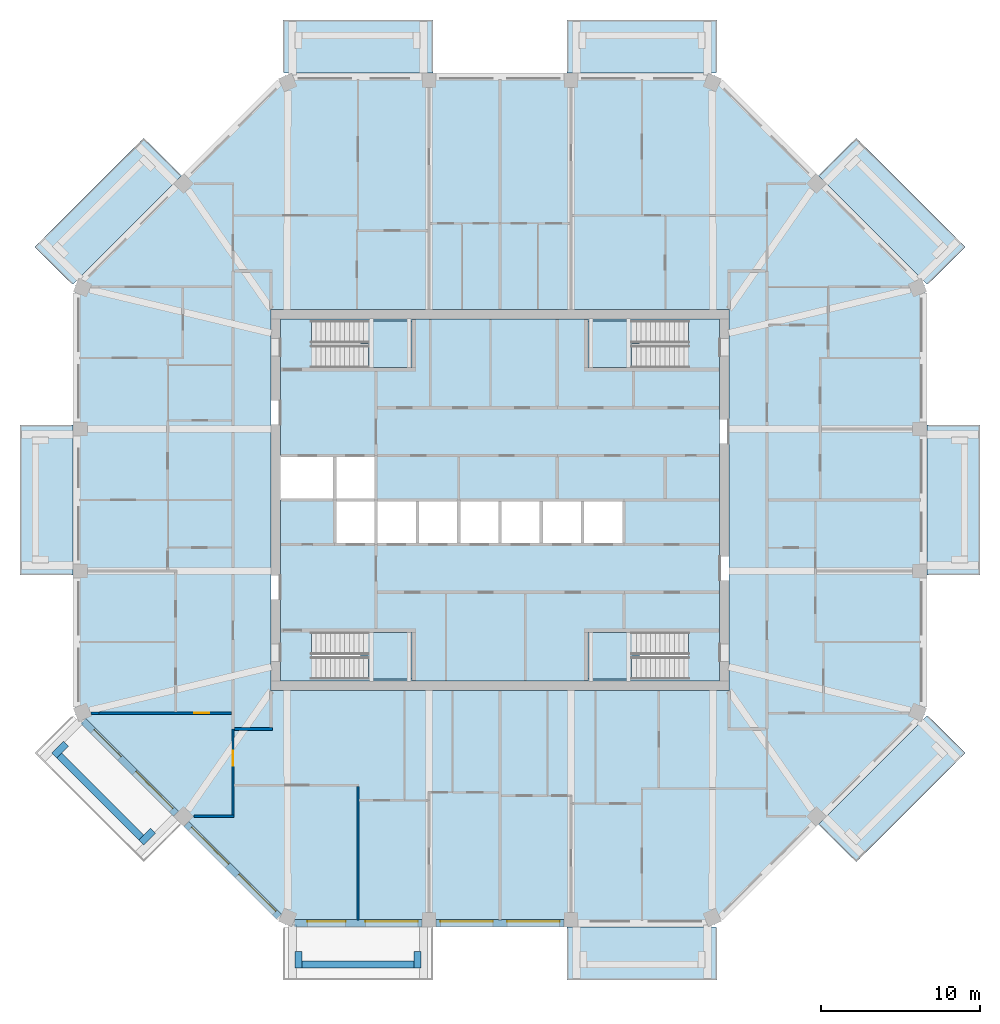
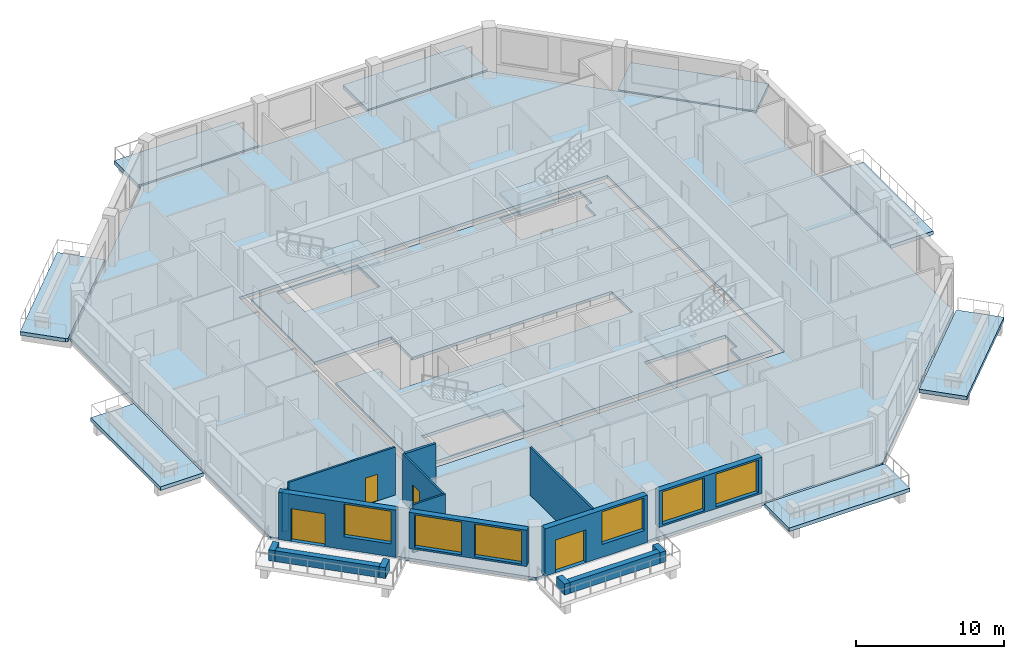
# One storey, part 2 of 12: 16 walls, 14 slabs, 6 windows, 4 doors, 10 openings, 4 elements without a shape of their own.
"""IFC4 building model written with IfcOpenShell, lengths in metres."""

from ifc_helpers import new_model, si_unit, direction, frame, frame_2d, origin, place, context, subcontext, project, spatial, polyline, rectangle, outline, extrude, material, layer, layer_set, type_object, element, fill, aggregate, save


model = new_model("IFC4")

# Units and contexts
model_context = context("Model", 3, precision=1e-05, world=origin(), true_north=direction((0.0, 1.0)))
body_context = subcontext(model_context, "Body", "Model", "MODEL_VIEW")
ifc_project = project(units=[si_unit("LENGTHUNIT", "METRE"), si_unit("AREAUNIT", "SQUARE_METRE"), si_unit("VOLUMEUNIT", "CUBIC_METRE"), si_unit("PLANEANGLEUNIT", "RADIAN"), si_unit("MASSUNIT", "GRAM", prefix="KILO")], contexts=[model_context])

# Site, building, storey
site_placement = place(None, origin())
site = spatial("IfcSite", under=ifc_project, at=site_placement, CompositionType="ELEMENT")
building_placement = place(site_placement, origin())
building = spatial("IfcBuilding", under=site, at=building_placement, Name="Msitu Wima Residences", CompositionType="ELEMENT")
storey_placement = place(building_placement, frame((0.0, 0.0, 251.699951171875)))
storey = spatial("IfcBuildingStorey", under=building, at=storey_placement, Name="L58", CompositionType="ELEMENT", Elevation=251.699951171875)

# Slabs
ifc_material_1 = material(Name="Concrete C40/50", Category="concrete")
ifc_layer_1 = layer(ifc_material_1, 0.300048828125)
ifc_layer_set_1 = layer_set([ifc_layer_1], Name="Concrete C40/50")
slab_type_1 = type_object("IfcSlabType", Name="Balcony slab BS300", PredefinedType="FLOOR", material=ifc_layer_set_1)
slab_1_placement = place(storey_placement, frame((0.0, 0.0, -0.300048828125)))
element("IfcSlab", 1, at=slab_1_placement, inside=storey, type_object=slab_type_1, Name="Balcony E1 L58", PredefinedType="FLOOR", context=body_context, shape_type="SweptSolid", body=[
    extrude(outline(polyline([(26.85009765625, -4.0185546875), (26.85009765625, 4.0185546875), (26.85009765625, 4.71875), (30.199951171875, 4.71875), (30.199951171875, -4.71875), (26.85009765625, -4.71875), (26.85009765625, -4.0185546875)])), origin(), (0.0, 0.0, 1.0), 0.300048828125),
])
slab_2_placement = place(storey_placement, frame((0.0, 0.0, -0.300048828125)))
element("IfcSlab", 2, at=slab_2_placement, inside=storey, type_object=slab_type_1, Name="Balcony NE0 L58", PredefinedType="FLOOR", context=body_context, shape_type="SweptSolid", body=[
    extrude(outline(polyline([(26.505615234375, 13.936767578125), (26.505615234375, 13.936767578125), (20.04443359375, 20.39794921875), (22.4130859375, 22.766845703125), (29.263671875, 15.916015625), (27.003662109375, 13.656005859375), (26.85009765625, 13.59228515625), (26.505615234375, 13.936767578125), (26.505615234375, 13.936767578125)])), origin(), (0.0, 0.0, 1.0), 0.300048828125),
])
slab_3_placement = place(storey_placement, frame((0.0, 0.0, -0.300048828125)))
element("IfcSlab", 3, at=slab_3_placement, inside=storey, type_object=slab_type_1, Name="Balcony N0 L58", PredefinedType="FLOOR", context=body_context, shape_type="SweptSolid", body=[
    extrude(outline(polyline([(13.105224609375, 26.85009765625), (13.105224609375, 26.85009765625), (4.918701171875, 26.85009765625), (4.21875, 26.85009765625), (4.21875, 30.199951171875), (13.656005859375, 30.199951171875), (13.656005859375, 27.003662109375), (13.59228515625, 26.85009765625), (13.105224609375, 26.85009765625), (13.105224609375, 26.85009765625)])), origin(), (0.0, 0.0, 1.0), 0.300048828125),
])
slab_4_placement = place(storey_placement, frame((0.0, 0.0, -0.300048828125)))
element("IfcSlab", 4, at=slab_4_placement, inside=storey, type_object=slab_type_1, Name="Balcony N2 L58", PredefinedType="FLOOR", context=body_context, shape_type="SweptSolid", body=[
    extrude(outline(polyline([(-13.105224609375, 26.85009765625), (-13.105224609375, 26.85009765625), (-13.105224609375, 26.85009765625), (-13.59228515625, 26.85009765625), (-13.656005859375, 27.003662109375), (-13.656005859375, 30.199951171875), (-4.21875, 30.199951171875), (-4.21875, 26.85009765625), (-4.918701171875, 26.85009765625), (-13.105224609375, 26.85009765625)])), origin(), (0.0, 0.0, 1.0), 0.300048828125),
])
slab_5_placement = place(storey_placement, frame((0.0, 0.0, -0.300048828125)))
element("IfcSlab", 5, at=slab_5_placement, inside=storey, type_object=slab_type_1, Name="Balcony NW1 L58", PredefinedType="FLOOR", context=body_context, shape_type="SweptSolid", body=[
    extrude(outline(polyline([(-26.505615234375, 13.936767578125), (-26.505615234375, 13.936767578125), (-26.85009765625, 13.59228515625), (-27.003662109375, 13.656005859375), (-29.263671875, 15.916015625), (-22.4130859375, 22.766845703125), (-20.04443359375, 20.39794921875), (-26.505615234375, 13.936767578125), (-26.505615234375, 13.936767578125)])), origin(), (0.0, 0.0, 1.0), 0.300048828125),
])
slab_6_placement = place(storey_placement, frame((0.0, 0.0, -0.300048828125)))
element("IfcSlab", 6, at=slab_6_placement, inside=storey, type_object=slab_type_1, Name="Balcony W1 L58", PredefinedType="FLOOR", context=body_context, shape_type="SweptSolid", body=[
    extrude(outline(polyline([(-26.85009765625, 4.0185546875), (-26.85009765625, -4.0185546875), (-26.85009765625, -4.71875), (-30.199951171875, -4.71875), (-30.199951171875, 4.71875), (-26.85009765625, 4.71875), (-26.85009765625, 4.0185546875)])), origin(), (0.0, 0.0, 1.0), 0.300048828125),
])
slab_7_placement = place(storey_placement, frame((0.0, 0.0, -0.300048828125)))
element("IfcSlab", 7, at=slab_7_placement, inside=storey, type_object=slab_type_1, Name="Balcony S2 L58", PredefinedType="FLOOR", context=body_context, shape_type="SweptSolid", body=[
    extrude(outline(polyline([(13.105224609375, -26.85009765625), (13.105224609375, -26.85009765625), (13.105224609375, -26.85009765625), (13.59228515625, -26.85009765625), (13.656005859375, -27.003662109375), (13.656005859375, -30.199951171875), (4.21875, -30.199951171875), (4.21875, -26.85009765625), (4.918701171875, -26.85009765625), (13.105224609375, -26.85009765625)])), origin(), (0.0, 0.0, 1.0), 0.300048828125),
])
slab_8_placement = place(storey_placement, frame((0.0, 0.0, -0.300048828125)))
element("IfcSlab", 8, at=slab_8_placement, inside=storey, type_object=slab_type_1, Name="Balcony SE1 L58", PredefinedType="FLOOR", context=body_context, shape_type="SweptSolid", body=[
    extrude(outline(polyline([(26.505615234375, -13.936767578125), (26.505615234375, -13.936767578125), (26.85009765625, -13.59228515625), (27.003662109375, -13.656005859375), (29.263671875, -15.916015625), (22.4130859375, -22.766845703125), (20.04443359375, -20.39794921875), (26.505615234375, -13.936767578125), (26.505615234375, -13.936767578125)])), origin(), (0.0, 0.0, 1.0), 0.300048828125),
])
ifc_layer_2 = layer(ifc_material_1, 0.25)
ifc_layer_set_2 = layer_set([ifc_layer_2], Name="Concrete C40/50")
slab_type_2 = type_object("IfcSlabType", Name="Core floor CF250", PredefinedType="FLOOR", material=ifc_layer_set_2)
slab_9_placement = place(storey_placement, frame((0.0, 0.0, -0.25)))
element("IfcSlab", 9, at=slab_9_placement, inside=storey, type_object=slab_type_2, Name="Core floor", PredefinedType="FLOOR", context=body_context, shape_type="SweptSolid", body=[
    extrude(outline(polyline([(-13.800048828125, 11.39990234375), (-13.800048828125, 2.800048828125), (-10.39990234375, 2.800048828125), (-7.800048828125, 2.800048828125), (-7.800048828125, 0.0), (-5.199951171875, 0.0), (-2.60009765625, 0.0), (0.0, 0.0), (2.60009765625, 0.0), (5.199951171875, 0.0), (7.800048828125, 0.0), (7.800048828125, -2.800048828125), (5.199951171875, -2.800048828125), (2.60009765625, -2.800048828125), (0.0, -2.800048828125), (-2.60009765625, -2.800048828125), (-5.199951171875, -2.800048828125), (-7.800048828125, -2.800048828125), (-10.39990234375, -2.800048828125), (-10.39990234375, 0.0), (-13.800048828125, 0.0), (-13.800048828125, -11.39990234375), (13.800048828125, -11.39990234375), (13.800048828125, 11.39990234375), (-13.800048828125, 11.39990234375)]), holes=[polyline([(-11.375, -11.27490234375), (-11.375, -9.875), (-11.87451171875, -9.875), (-11.87451171875, -8.324951171875), (-5.52490234375, -8.324951171875), (-5.52490234375, -11.27490234375), (-11.375, -11.27490234375)]), polyline([(-11.375, 8.324951171875), (-11.375, 9.72509765625), (-11.87451171875, 9.72509765625), (-11.87451171875, 11.27490234375), (-5.52490234375, 11.27490234375), (-5.52490234375, 8.324951171875), (-11.375, 8.324951171875)]), polyline([(11.375, -9.875), (11.375, -11.27490234375), (5.52490234375, -11.27490234375), (5.52490234375, -8.324951171875), (11.87451171875, -8.324951171875), (11.87451171875, -9.875), (11.375, -9.875)]), polyline([(11.375, 9.72509765625), (11.375, 8.324951171875), (5.52490234375, 8.324951171875), (5.52490234375, 11.27490234375), (11.87451171875, 11.27490234375), (11.87451171875, 9.72509765625), (11.375, 9.72509765625)])]), origin(), (0.0, 0.0, 1.0), 0.25),
])
ifc_layer_3 = layer(ifc_material_1, 0.25)
ifc_layer_set_3 = layer_set([ifc_layer_3], Name="Concrete C40/50")
slab_type_3 = type_object("IfcSlabType", Name="PT flat slab 250 Concrete C40/50", PredefinedType="FLOOR", material=ifc_layer_set_3)
slab_10_placement = place(storey_placement, frame((0.0, 0.0, -0.25)))
element("IfcSlab", 10, at=slab_10_placement, inside=storey, type_object=slab_type_3, Name="Floor slab L58", PredefinedType="FLOOR", context=body_context, shape_type="SweptSolid", body=[
    extrude(outline(polyline([(26.699951171875, -13.5302734375), (13.5302734375, -26.699951171875), (-13.5302734375, -26.699951171875), (-26.699951171875, -13.5302734375), (-26.699951171875, 13.5302734375), (-13.5302734375, 26.699951171875), (13.5302734375, 26.699951171875), (26.699951171875, 13.5302734375), (26.699951171875, -13.5302734375)]), holes=[polyline([(-14.39990234375, -12.0), (14.39990234375, -12.0), (14.39990234375, 12.0), (-14.39990234375, 12.0), (-14.39990234375, -12.0)])]), origin(), (0.0, 0.0, 1.0), 0.25),
])

# Stair, slab
stair_type = type_object("IfcStairType", Name="Exit stair ES1615-140", PredefinedType="HALF_TURN_STAIR", material=ifc_material_1)
stair_1_placement = place(storey_placement, origin())
stair_1 = element("IfcStair", 11, at=stair_1_placement, inside=storey, type_object=stair_type, Name="Exit stair 1", PredefinedType="HALF_TURN_STAIR")
ifc_layer_4 = layer(ifc_material_1, 0.199951171875)
ifc_layer_set_4 = layer_set([ifc_layer_4], Name="Concrete C40/50")
slab_type_4 = type_object("IfcSlabType", Name="Stair landing SL200", PredefinedType="LANDING", material=ifc_layer_set_4)
slab_11_placement = place(storey_placement, frame((0.0, 0.0, 1.900146484375)))
slab_11 = element("IfcSlab", 12, at=slab_11_placement, type_object=slab_type_4, Name="S1 landing 1", PredefinedType="LANDING", context=body_context, shape_type="SweptSolid", body=[
    extrude(outline(polyline([(-5.52490234375, 8.324951171875), (-8.275390625, 8.324951171875), (-8.275390625, 9.800048828125), (-8.77490234375, 9.800048828125), (-8.77490234375, 11.27490234375), (-5.52490234375, 11.27490234375), (-5.52490234375, 8.324951171875)])), origin(), (0.0, 0.0, 1.0), 0.199951171875),
])
aggregate(stair_1, [slab_11])

stair_2_placement = place(storey_placement, origin())
stair_2 = element("IfcStair", 13, at=stair_2_placement, inside=storey, type_object=stair_type, Name="Exit stair 2", PredefinedType="HALF_TURN_STAIR")
slab_12_placement = place(storey_placement, frame((0.0, 0.0, 1.900146484375)))
slab_12 = element("IfcSlab", 14, at=slab_12_placement, type_object=slab_type_4, Name="S2 landing 1", PredefinedType="LANDING", context=body_context, shape_type="SweptSolid", body=[
    extrude(outline(polyline([(-5.52490234375, -11.27490234375), (-8.275390625, -11.27490234375), (-8.275390625, -9.800048828125), (-8.77490234375, -9.800048828125), (-8.77490234375, -8.324951171875), (-5.52490234375, -8.324951171875), (-5.52490234375, -11.27490234375)])), origin(), (0.0, 0.0, 1.0), 0.199951171875),
])
aggregate(stair_2, [slab_12])

stair_3_placement = place(storey_placement, origin())
stair_3 = element("IfcStair", 15, at=stair_3_placement, inside=storey, type_object=stair_type, Name="Exit stair 3", PredefinedType="HALF_TURN_STAIR")
slab_13_placement = place(storey_placement, frame((0.0, 0.0, 1.900146484375)))
slab_13 = element("IfcSlab", 16, at=slab_13_placement, type_object=slab_type_4, Name="S3 landing 1", PredefinedType="LANDING", context=body_context, shape_type="SweptSolid", body=[
    extrude(outline(polyline([(5.52490234375, 8.324951171875), (8.275390625, 8.324951171875), (8.275390625, 9.800048828125), (8.77490234375, 9.800048828125), (8.77490234375, 11.27490234375), (5.52490234375, 11.27490234375), (5.52490234375, 8.324951171875)])), origin(), (0.0, 0.0, 1.0), 0.199951171875),
])
aggregate(stair_3, [slab_13])

stair_4_placement = place(storey_placement, origin())
stair_4 = element("IfcStair", 17, at=stair_4_placement, inside=storey, type_object=stair_type, Name="Exit stair 4", PredefinedType="HALF_TURN_STAIR")
slab_14_placement = place(storey_placement, frame((0.0, 0.0, 1.900146484375)))
slab_14 = element("IfcSlab", 18, at=slab_14_placement, type_object=slab_type_4, Name="S4 landing 1", PredefinedType="LANDING", context=body_context, shape_type="SweptSolid", body=[
    extrude(outline(polyline([(5.52490234375, -11.27490234375), (8.275390625, -11.27490234375), (8.275390625, -9.800048828125), (8.77490234375, -9.800048828125), (8.77490234375, -8.324951171875), (5.52490234375, -8.324951171875), (5.52490234375, -11.27490234375)])), origin(), (0.0, 0.0, 1.0), 0.199951171875),
])
aggregate(stair_4, [slab_14])

# Walls
ifc_material_2 = material(Name="Facing brick")
ifc_layer_5 = layer(ifc_material_2, 0.06494140625, Name="Facing brick")
ifc_layer_6 = layer(ifc_material_1, 0.156005859375, Name="Concrete C40/50")
ifc_material_3 = material(Name="Waterproofing membrane")
ifc_layer_7 = layer(ifc_material_3, 0.00390625, Name="Waterproofing membrane")
ifc_material_4 = material(Name="Planting soil and planting")
ifc_layer_8 = layer(ifc_material_4, 0.22509765625, Name="Planting soil and planting")
ifc_layer_set_5 = layer_set([ifc_layer_5, ifc_layer_6, ifc_layer_7, ifc_layer_8], Name="Concrete C40/50")
wall_type_1 = type_object("IfcWallType", Name="Balcony planter PLANTER PL450", PredefinedType="USERDEFINED", material=ifc_layer_set_5)
wall_1_placement = place(storey_placement, frame((-27.725830078125, -16.0751953125, 0.0), z_axis=(0.0, 0.0, 1.0), x_axis=(0.707106781187, -0.707106781187, 0.0)))
element("IfcWall", 19, at=wall_1_placement, inside=storey, type_object=wall_type_1, Name="Balcony planter SW0 L58", ObjectType="PLANTER", PredefinedType="USERDEFINED", context=body_context, shape_type="SweptSolid", body=[
    extrude(rectangle(XDim=7.288330078125, YDim=0.449951171875, at=frame_2d((3.64404296875, 0.0))), origin(), (0.0, 0.0, 1.0), 0.900146484375),
])
for number, where, z_axis, x_axis, name in (
    (20, (-27.301513671875, -15.332763671875, 0.0), (0.0, 0.0, 1.0), (-0.707106781187, -0.707106781187, 0.0), "Balcony planter SW0 L58"),
    (21, (-21.829833984375, -20.804443359375, 0.0), (0.0, 0.0, 1.0), (-0.707106781187, -0.707106781187, 0.0), "Balcony planter SW0 L58"),
):
    element("IfcWall", number, at=place(storey_placement, frame(where, z_axis=z_axis, x_axis=x_axis)), inside=storey, type_object=wall_type_1, Name=name, ObjectType="PLANTER", PredefinedType="USERDEFINED", context=body_context, shape_type="SweptSolid", body=[
        extrude(rectangle(XDim=1.050048828125, YDim=0.449951171875, at=frame_2d((0.52490234375, 0.0))), origin(), (0.0, 0.0, 1.0), 0.900146484375),
    ])
wall_2_placement = place(storey_placement, frame((-12.455810546875, -29.22509765625, 0.0), z_axis=(0.0, 0.0, 1.0), x_axis=(1.0, 0.0, 0.0)))
element("IfcWall", 22, at=wall_2_placement, inside=storey, type_object=wall_type_1, Name="Balcony planter S0 L58", ObjectType="PLANTER", PredefinedType="USERDEFINED", context=body_context, shape_type="SweptSolid", body=[
    extrude(rectangle(XDim=7.037109375, YDim=0.449951171875, at=frame_2d((3.5185546875, 0.0))), origin(), (0.0, 0.0, 1.0), 0.900146484375),
])
for number, where, z_axis, x_axis, name in (
    (23, (-12.680908203125, -28.39990234375, 0.0), (0.0, 0.0, 1.0), (0.0, -1.0, 0.0), "Balcony planter S0 L58"),
    (24, (-5.193603515625, -28.39990234375, 0.0), (0.0, 0.0, 1.0), (0.0, -1.0, 0.0), "Balcony planter S0 L58"),
):
    element("IfcWall", number, at=place(storey_placement, frame(where, z_axis=z_axis, x_axis=x_axis)), inside=storey, type_object=wall_type_1, Name=name, ObjectType="PLANTER", PredefinedType="USERDEFINED", context=body_context, shape_type="SweptSolid", body=[
        extrude(rectangle(XDim=1.050048828125, YDim=0.449951171875, at=frame_2d((0.52490234375, 0.0))), origin(), (0.0, 0.0, 1.0), 0.900146484375),
    ])

# Wall, openings, door, window
ifc_material_5 = material(Name="Brick (red buff mix)", Category="masonry")
ifc_layer_9 = layer(ifc_material_5, 0.449951171875)
ifc_layer_set_6 = layer_set([ifc_layer_9], Name="Brick (red buff mix)")
wall_type_2 = type_object("IfcWallType", Name="Brick infill wall BW450", PredefinedType="SOLIDWALL", material=ifc_layer_set_6)
wall_3_placement = place(storey_placement, frame((-26.214599609375, -13.909423828125, 0.0), z_axis=(0.0, 0.0, 1.0), x_axis=(0.707106781187, -0.707106781187, 0.0)))
wall_3 = element("IfcWall", 25, at=wall_3_placement, inside=storey, type_object=wall_type_2, Name="Brick infill wall L58 SW0", PredefinedType="SOLIDWALL", context=body_context, shape_type="SweptSolid", body=[
    extrude(rectangle(XDim=8.251220703125, YDim=0.449951171875, at=frame_2d((4.12548828125, 0.0))), origin(), (0.0, 0.0, 1.0), 3.900146484375),
])
opening_1_placement = place(wall_3_placement, frame((0.86279296875, 0.0, 0.0)))
opening_1 = element("IfcOpeningElement", 26, at=opening_1_placement, cuts=wall_3, Name="Opening D57-59.009", PredefinedType="OPENING", context=body_context, shape_type="SweptSolid", body=[
    extrude(rectangle(XDim=2.39990234375, YDim=2.699951171875, at=frame_2d((1.199951171875, 1.35009765625))), frame((0.0, 0.23486328125, 0.0), z_axis=(0.0, -1.0, 0.0), x_axis=(1.0, 0.0, 0.0)), (0.0, 0.0, 1.0), 0.469970703125),
])
opening_2_placement = place(wall_3_placement, frame((4.57568359375, 0.0, 1.050048828125)))
opening_2 = element("IfcOpeningElement", 27, at=opening_2_placement, cuts=wall_3, Name="Opening W57-59.023", PredefinedType="OPENING", context=body_context, shape_type="SweptSolid", body=[
    extrude(rectangle(XDim=3.300048828125, YDim=2.699951171875, at=frame_2d((1.64990234375, 1.35009765625))), frame((0.0, 0.23486328125, 0.0), z_axis=(0.0, -1.0, 0.0), x_axis=(1.0, 0.0, 0.0)), (0.0, 0.0, 1.0), 0.469970703125),
])
ifc_material_6 = material(Name="Anodised aluminium, bronze finish, clear low-emissivity double glazing", Category="aluminium")
door_type_1 = type_object("IfcDoorType", Name="Balcony door D2400x2700", OperationType="SLIDING_TO_LEFT", PredefinedType="DOOR", material=ifc_material_6)
door_1_placement = place(opening_1_placement, origin())
door_1 = element("IfcDoor", 28, at=door_1_placement, inside=storey, type_object=door_type_1, Name="Balcony door L58 SW0", OperationType="SINGLE_SWING_LEFT", OverallHeight=2.699951171875, OverallWidth=2.39990234375, PredefinedType="DOOR", context=body_context, shape_type="SweptSolid", body=[
    extrude(rectangle(XDim=2.39990234375, YDim=2.699951171875, at=frame_2d((1.199951171875, 1.35009765625))), frame((0.0, 0.1298828125, 0.0), z_axis=(0.0, -1.0, 0.0), x_axis=(1.0, 0.0, 0.0)), (0.0, 0.0, 1.0), 0.050048828125),
])
fill(opening_1, door_1)
window_type = type_object("IfcWindowType", Name="Window W3300x2700", PartitioningType="DOUBLE_PANEL_VERTICAL", PredefinedType="WINDOW", material=ifc_material_6)
window_1_placement = place(opening_2_placement, origin())
window_1 = element("IfcWindow", 29, at=window_1_placement, inside=storey, type_object=window_type, Name="Window L58 SW0.2", OverallHeight=2.699951171875, OverallWidth=3.300048828125, PartitioningType="SINGLE_PANEL", PredefinedType="WINDOW", context=body_context, shape_type="SweptSolid", body=[
    extrude(rectangle(XDim=3.300048828125, YDim=2.699951171875, at=frame_2d((1.64990234375, 1.35009765625))), frame((0.0, 0.135009765625, 0.0), z_axis=(0.0, -1.0, 0.0), x_axis=(1.0, 0.0, 0.0)), (0.0, 0.0, 1.0), 0.06005859375),
])
fill(opening_2, window_1)

# Wall, openings, windows
wall_4_placement = place(storey_placement, frame((-19.743896484375, -20.380126953125, 0.900146484375), z_axis=(0.0, 0.0, 1.0), x_axis=(0.707106781187, -0.707106781187, 0.0)))
wall_4 = element("IfcWall", 30, at=wall_4_placement, inside=storey, type_object=wall_type_2, Name="Brick infill wall L58 SW1", PredefinedType="SOLIDWALL", context=body_context, shape_type="SweptSolid", body=[
    extrude(rectangle(XDim=8.251220703125, YDim=0.449951171875, at=frame_2d((4.12548828125, 0.0))), origin(), (0.0, 0.0, 1.0), 3.0),
])
opening_3_placement = place(wall_4_placement, frame((0.37548828125, 0.0, 0.14990234375)))
opening_3 = element("IfcOpeningElement", 31, at=opening_3_placement, cuts=wall_4, Name="Opening W57-59.024", PredefinedType="OPENING", context=body_context, shape_type="SweptSolid", body=[
    extrude(rectangle(XDim=3.300048828125, YDim=2.699951171875, at=frame_2d((1.64990234375, 1.35009765625))), frame((0.0, 0.23486328125, 0.0), z_axis=(0.0, -1.0, 0.0), x_axis=(1.0, 0.0, 0.0)), (0.0, 0.0, 1.0), 0.469970703125),
])
opening_4_placement = place(wall_4_placement, frame((4.57568359375, 0.0, 0.14990234375)))
opening_4 = element("IfcOpeningElement", 32, at=opening_4_placement, cuts=wall_4, Name="Opening W57-59.025", PredefinedType="OPENING", context=body_context, shape_type="SweptSolid", body=[
    extrude(rectangle(XDim=3.300048828125, YDim=2.699951171875, at=frame_2d((1.64990234375, 1.35009765625))), frame((0.0, 0.23486328125, 0.0), z_axis=(0.0, -1.0, 0.0), x_axis=(1.0, 0.0, 0.0)), (0.0, 0.0, 1.0), 0.469970703125),
])
window_2_placement = place(opening_3_placement, origin())
window_2 = element("IfcWindow", 33, at=window_2_placement, inside=storey, type_object=window_type, Name="Window L58 SW1.1", OverallHeight=2.699951171875, OverallWidth=3.300048828125, PartitioningType="SINGLE_PANEL", PredefinedType="WINDOW", context=body_context, shape_type="SweptSolid", body=[
    extrude(rectangle(XDim=3.300048828125, YDim=2.699951171875, at=frame_2d((1.64990234375, 1.35009765625))), frame((0.0, 0.135009765625, 0.0), z_axis=(0.0, -1.0, 0.0), x_axis=(1.0, 0.0, 0.0)), (0.0, 0.0, 1.0), 0.06005859375),
])
fill(opening_3, window_2)
window_3_placement = place(opening_4_placement, origin())
window_3 = element("IfcWindow", 34, at=window_3_placement, inside=storey, type_object=window_type, Name="Window L58 SW1.2", OverallHeight=2.699951171875, OverallWidth=3.300048828125, PartitioningType="SINGLE_PANEL", PredefinedType="WINDOW", context=body_context, shape_type="SweptSolid", body=[
    extrude(rectangle(XDim=3.300048828125, YDim=2.699951171875, at=frame_2d((1.64990234375, 1.35009765625))), frame((0.0, 0.135009765625, 0.0), z_axis=(0.0, -1.0, 0.0), x_axis=(1.0, 0.0, 0.0)), (0.0, 0.0, 1.0), 0.06005859375),
])
fill(opening_4, window_3)

# Wall, openings, door, window
wall_5_placement = place(storey_placement, frame((-12.918701171875, -26.625, 0.0), z_axis=(0.0, 0.0, 1.0), x_axis=(1.0, 0.0, 0.0)))
wall_5 = element("IfcWall", 35, at=wall_5_placement, inside=storey, type_object=wall_type_2, Name="Brick infill wall L58 S0", PredefinedType="SOLIDWALL", context=body_context, shape_type="SweptSolid", body=[
    extrude(rectangle(XDim=8.0, YDim=0.449951171875, at=frame_2d((4.0, 0.0))), origin(), (0.0, 0.0, 1.0), 3.900146484375),
])
opening_5_placement = place(wall_5_placement, frame((0.800048828125, 0.0, 0.0)))
opening_5 = element("IfcOpeningElement", 36, at=opening_5_placement, cuts=wall_5, Name="Opening D57-59.006", PredefinedType="OPENING", context=body_context, shape_type="SweptSolid", body=[
    extrude(rectangle(XDim=2.39990234375, YDim=2.699951171875, at=frame_2d((1.199951171875, 1.35009765625))), frame((0.0, 0.23486328125, 0.0), z_axis=(0.0, -1.0, 0.0), x_axis=(1.0, 0.0, 0.0)), (0.0, 0.0, 1.0), 0.469970703125),
])
opening_6_placement = place(wall_5_placement, frame((4.4501953125, 0.0, 1.050048828125)))
opening_6 = element("IfcOpeningElement", 37, at=opening_6_placement, cuts=wall_5, Name="Opening W57-59.016", PredefinedType="OPENING", context=body_context, shape_type="SweptSolid", body=[
    extrude(rectangle(XDim=3.300048828125, YDim=2.699951171875, at=frame_2d((1.64990234375, 1.35009765625))), frame((0.0, 0.23486328125, 0.0), z_axis=(0.0, -1.0, 0.0), x_axis=(1.0, 0.0, 0.0)), (0.0, 0.0, 1.0), 0.469970703125),
])
door_2_placement = place(opening_5_placement, origin())
door_2 = element("IfcDoor", 38, at=door_2_placement, inside=storey, type_object=door_type_1, Name="Balcony door L58 S0", OperationType="SINGLE_SWING_LEFT", OverallHeight=2.699951171875, OverallWidth=2.39990234375, PredefinedType="DOOR", context=body_context, shape_type="SweptSolid", body=[
    extrude(rectangle(XDim=2.39990234375, YDim=2.699951171875, at=frame_2d((1.199951171875, 1.35009765625))), frame((0.0, 0.1298828125, 0.0), z_axis=(0.0, -1.0, 0.0), x_axis=(1.0, 0.0, 0.0)), (0.0, 0.0, 1.0), 0.050048828125),
])
fill(opening_5, door_2)
window_4_placement = place(opening_6_placement, origin())
window_4 = element("IfcWindow", 39, at=window_4_placement, inside=storey, type_object=window_type, Name="Window L58 S0.2", OverallHeight=2.699951171875, OverallWidth=3.300048828125, PartitioningType="SINGLE_PANEL", PredefinedType="WINDOW", context=body_context, shape_type="SweptSolid", body=[
    extrude(rectangle(XDim=3.300048828125, YDim=2.699951171875, at=frame_2d((1.64990234375, 1.35009765625))), frame((0.0, 0.135009765625, 0.0), z_axis=(0.0, -1.0, 0.0), x_axis=(1.0, 0.0, 0.0)), (0.0, 0.0, 1.0), 0.06005859375),
])
fill(opening_6, window_4)

# Wall, openings, windows
wall_6_placement = place(storey_placement, frame((-4.0185546875, -26.625, 0.900146484375), z_axis=(0.0, 0.0, 1.0), x_axis=(1.0, 0.0, 0.0)))
wall_6 = element("IfcWall", 40, at=wall_6_placement, inside=storey, type_object=wall_type_2, Name="Brick infill wall L58 S1", PredefinedType="SOLIDWALL", context=body_context, shape_type="SweptSolid", body=[
    extrude(rectangle(XDim=8.037109375, YDim=0.449951171875, at=frame_2d((4.0185546875, 0.0))), origin(), (0.0, 0.0, 1.0), 3.0),
])
opening_7_placement = place(wall_6_placement, frame((0.2685546875, 0.0, 0.14990234375)))
opening_7 = element("IfcOpeningElement", 41, at=opening_7_placement, cuts=wall_6, Name="Opening W57-59.017", PredefinedType="OPENING", context=body_context, shape_type="SweptSolid", body=[
    extrude(rectangle(XDim=3.300048828125, YDim=2.699951171875, at=frame_2d((1.64990234375, 1.35009765625))), frame((0.0, 0.23486328125, 0.0), z_axis=(0.0, -1.0, 0.0), x_axis=(1.0, 0.0, 0.0)), (0.0, 0.0, 1.0), 0.469970703125),
])
opening_8_placement = place(wall_6_placement, frame((4.46875, 0.0, 0.14990234375)))
opening_8 = element("IfcOpeningElement", 42, at=opening_8_placement, cuts=wall_6, Name="Opening W57-59.018", PredefinedType="OPENING", context=body_context, shape_type="SweptSolid", body=[
    extrude(rectangle(XDim=3.300048828125, YDim=2.699951171875, at=frame_2d((1.64990234375, 1.35009765625))), frame((0.0, 0.23486328125, 0.0), z_axis=(0.0, -1.0, 0.0), x_axis=(1.0, 0.0, 0.0)), (0.0, 0.0, 1.0), 0.469970703125),
])
window_5_placement = place(opening_7_placement, origin())
window_5 = element("IfcWindow", 43, at=window_5_placement, inside=storey, type_object=window_type, Name="Window L58 S1.1", OverallHeight=2.699951171875, OverallWidth=3.300048828125, PartitioningType="SINGLE_PANEL", PredefinedType="WINDOW", context=body_context, shape_type="SweptSolid", body=[
    extrude(rectangle(XDim=3.300048828125, YDim=2.699951171875, at=frame_2d((1.64990234375, 1.35009765625))), frame((0.0, 0.135009765625, 0.0), z_axis=(0.0, -1.0, 0.0), x_axis=(1.0, 0.0, 0.0)), (0.0, 0.0, 1.0), 0.06005859375),
])
fill(opening_7, window_5)
window_6_placement = place(opening_8_placement, origin())
window_6 = element("IfcWindow", 44, at=window_6_placement, inside=storey, type_object=window_type, Name="Window L58 S1.2", OverallHeight=2.699951171875, OverallWidth=3.300048828125, PartitioningType="SINGLE_PANEL", PredefinedType="WINDOW", context=body_context, shape_type="SweptSolid", body=[
    extrude(rectangle(XDim=3.300048828125, YDim=2.699951171875, at=frame_2d((1.64990234375, 1.35009765625))), frame((0.0, 0.135009765625, 0.0), z_axis=(0.0, -1.0, 0.0), x_axis=(1.0, 0.0, 0.0)), (0.0, 0.0, 1.0), 0.06005859375),
])
fill(opening_8, window_6)

# Walls
ifc_material_7 = material(Name="Plaster")
ifc_layer_10 = layer(ifc_material_7, 0.011962890625, Name="Plaster")
ifc_material_8 = material(Name="Concrete blockwork", Category="masonry")
ifc_layer_11 = layer(ifc_material_8, 0.176025390625, Name="Concrete blockwork")
ifc_layer_12 = layer(ifc_material_7, 0.011962890625, Name="Plaster")
ifc_layer_set_7 = layer_set([ifc_layer_10, ifc_layer_11, ifc_layer_12], Name="Concrete blockwork")
wall_type_3 = type_object("IfcWallType", Name="Corridor wall FW200", PredefinedType="PARTITIONING", material=ifc_layer_set_7)
wall_7_placement = place(storey_placement, frame((-16.699951171875, -14.39990234375, 0.0), z_axis=(0.0, 0.0, 1.0), x_axis=(1.0, 0.0, 0.0)))
element("IfcWall", 45, at=wall_7_placement, inside=storey, type_object=wall_type_3, Name="Corridor wall", PredefinedType="PARTITIONING", context=body_context, shape_type="SweptSolid", body=[
    extrude(rectangle(XDim=2.39990234375, YDim=0.199951171875, at=frame_2d((1.199951171875, 0.0))), origin(), (0.0, 0.0, 1.0), 3.949951171875),
])
ifc_layer_13 = layer(ifc_material_7, 0.011962890625, Name="Plaster")
ifc_layer_14 = layer(ifc_material_8, 0.1259765625, Name="Concrete blockwork")
ifc_layer_15 = layer(ifc_material_7, 0.011962890625, Name="Plaster")
ifc_layer_set_8 = layer_set([ifc_layer_13, ifc_layer_14, ifc_layer_15], Name="Concrete blockwork")
wall_type_4 = type_object("IfcWallType", Name="Partition PW150", PredefinedType="PARTITIONING", material=ifc_layer_set_8)
wall_8_placement = place(storey_placement, frame((-25.731201171875, -13.406005859375, 0.0), z_axis=(0.0, 0.0, 1.0), x_axis=(1.0, 0.0, 0.0)))
element("IfcWall", 46, at=wall_8_placement, inside=storey, type_object=wall_type_4, Name="Partition", PredefinedType="PARTITIONING", context=body_context, shape_type="SweptSolid", body=[
    extrude(rectangle(XDim=0.507080078125, YDim=0.14990234375, at=frame_2d((0.25341796875, 0.0))), origin(), (0.0, 0.0, 1.0), 3.35009765625),
])

# Wall, opening, door
wall_9_placement = place(storey_placement, frame((-25.22412109375, -13.406005859375, 0.0), z_axis=(0.0, 0.0, 1.0), x_axis=(1.0, 0.0, 0.0)))
wall_9 = element("IfcWall", 47, at=wall_9_placement, inside=storey, type_object=wall_type_4, Name="Partition", PredefinedType="PARTITIONING", context=body_context, shape_type="SweptSolid", body=[
    extrude(rectangle(XDim=8.32421875, YDim=0.14990234375, at=frame_2d((4.162109375, 0.0))), origin(), (0.0, 0.0, 1.0), 3.949951171875),
])
opening_9_placement = place(wall_9_placement, frame((5.992919921875, 0.0, 0.0)))
opening_9 = element("IfcOpeningElement", 48, at=opening_9_placement, cuts=wall_9, Name="Opening D57-59.025", PredefinedType="OPENING", context=body_context, shape_type="SweptSolid", body=[
    extrude(rectangle(XDim=0.949951171875, YDim=2.199951171875, at=frame_2d((0.47509765625, 1.10009765625))), frame((0.0, 0.0849609375, 0.0), z_axis=(0.0, -1.0, 0.0), x_axis=(1.0, 0.0, 0.0)), (0.0, 0.0, 1.0), 0.169921875),
])
ifc_material_9 = material(Name="Timber flush door", Category="wood")
door_type_2 = type_object("IfcDoorType", Name="Room door D12 950x2200", OperationType="SINGLE_SWING_LEFT", PredefinedType="DOOR", material=ifc_material_9)
door_3_placement = place(opening_9_placement, origin())
door_3 = element("IfcDoor", 49, at=door_3_placement, inside=storey, type_object=door_type_2, Name="Room door", OperationType="SINGLE_SWING_LEFT", OverallHeight=2.199951171875, OverallWidth=0.949951171875, PredefinedType="DOOR", context=body_context, shape_type="SweptSolid", body=[
    extrude(rectangle(XDim=0.949951171875, YDim=2.199951171875, at=frame_2d((0.47509765625, 1.10009765625))), frame((0.0, 0.02490234375, 0.0), z_axis=(0.0, -1.0, 0.0), x_axis=(1.0, 0.0, 0.0)), (0.0, 0.0, 1.0), 0.050048828125),
])
fill(opening_9, door_3)

# Wall
wall_10_placement = place(storey_placement, frame((-19.2666015625, -19.90283203125, 0.0), z_axis=(0.0, 0.0, 1.0), x_axis=(1.0, 0.0, 0.0)))
element("IfcWall", 50, at=wall_10_placement, inside=storey, type_object=wall_type_4, Name="Partition", PredefinedType="PARTITIONING", context=body_context, shape_type="SweptSolid", body=[
    extrude(rectangle(XDim=2.54150390625, YDim=0.14990234375, at=frame_2d((1.270751953125, 0.0))), origin(), (0.0, 0.0, 1.0), 3.949951171875),
])

# Wall, opening, door
wall_11_placement = place(storey_placement, frame((-16.800048828125, -19.827880859375, 0.0), z_axis=(0.0, 0.0, 1.0), x_axis=(0.0, 1.0, 0.0)))
wall_11 = element("IfcWall", 51, at=wall_11_placement, inside=storey, type_object=wall_type_4, Name="Partition", PredefinedType="PARTITIONING", context=body_context, shape_type="SweptSolid", body=[
    extrude(rectangle(XDim=5.427978515625, YDim=0.14990234375, at=frame_2d((2.7138671875, 0.0))), origin(), (0.0, 0.0, 1.0), 3.949951171875),
])
opening_10_placement = place(wall_11_placement, frame((3.10009765625, 0.0, 0.0)))
opening_10 = element("IfcOpeningElement", 52, at=opening_10_placement, cuts=wall_11, Name="Opening D57-59.049", PredefinedType="OPENING", context=body_context, shape_type="SweptSolid", body=[
    extrude(rectangle(XDim=0.949951171875, YDim=2.199951171875, at=frame_2d((0.47509765625, 1.10009765625))), frame((0.0, 0.0849609375, 0.0), z_axis=(0.0, -1.0, 0.0), x_axis=(1.0, 0.0, 0.0)), (0.0, 0.0, 1.0), 0.169921875),
])
door_4_placement = place(opening_10_placement, origin())
door_4 = element("IfcDoor", 53, at=door_4_placement, inside=storey, type_object=door_type_2, Name="Room door", OperationType="SINGLE_SWING_RIGHT", OverallHeight=2.199951171875, OverallWidth=0.949951171875, PredefinedType="DOOR", context=body_context, shape_type="SweptSolid", body=[
    extrude(rectangle(XDim=0.949951171875, YDim=2.199951171875, at=frame_2d((0.47509765625, 1.10009765625))), frame((0.0, 0.02490234375, 0.0), z_axis=(0.0, -1.0, 0.0), x_axis=(1.0, 0.0, 0.0)), (0.0, 0.0, 1.0), 0.050048828125),
])
fill(opening_10, door_4)

# Wall
wall_12_placement = place(storey_placement, frame((-8.937255859375, -26.455078125, 0.0), z_axis=(0.0, 0.0, 1.0), x_axis=(0.0, 1.0, 0.0)))
element("IfcWall", 54, at=wall_12_placement, inside=storey, type_object=wall_type_4, Name="Partition", PredefinedType="PARTITIONING", context=body_context, shape_type="SweptSolid", body=[
    extrude(rectangle(XDim=8.43017578125, YDim=0.14990234375, at=frame_2d((4.215087890625, 0.0))), origin(), (0.0, 0.0, 1.0), 3.949951171875),
])

save(model, "model.ifc")
